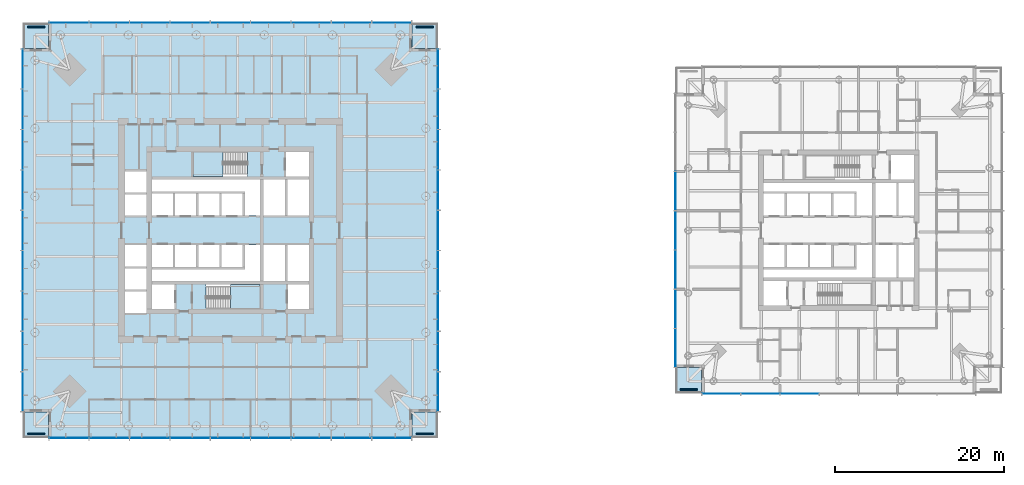
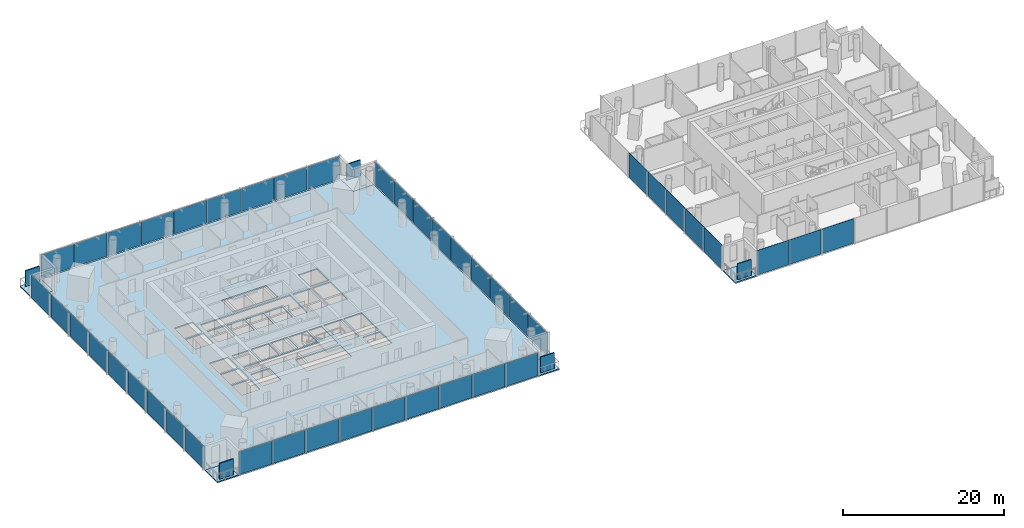
# One storey, part 8 of 21: 49 plates, 8 slabs, 8 elements without a shape of their own.
"""IFC4 building model written with IfcOpenShell, lengths in metres."""

from ifc_helpers import new_model, si_unit, direction, frame, origin, origin_2d, place, context, subcontext, project, spatial, polyline, rectangle, outline, extrude, material, layer, layer_set, type_object, element, aggregate, save


model = new_model("IFC4")

# Units and contexts
model_context = context("Model", 3, precision=1e-05, world=origin(), true_north=direction((0.0, 1.0)))
body_context = subcontext(model_context, "Body", "Model", "MODEL_VIEW")
ifc_project = project(units=[si_unit("LENGTHUNIT", "METRE"), si_unit("AREAUNIT", "SQUARE_METRE"), si_unit("VOLUMEUNIT", "CUBIC_METRE"), si_unit("PLANEANGLEUNIT", "RADIAN"), si_unit("MASSUNIT", "GRAM", prefix="KILO")], contexts=[model_context])

# Site, building, storey
site_placement = place(None, origin())
site = spatial("IfcSite", under=ifc_project, at=site_placement, CompositionType="ELEMENT")
building_placement = place(site_placement, origin())
building = spatial("IfcBuilding", under=site, at=building_placement, Name="Ostroluk Exchange", CompositionType="ELEMENT")
storey_placement = place(building_placement, frame((0.0, 0.0, 47.60009765625)))
storey = spatial("IfcBuildingStorey", under=building, at=storey_placement, Name="L11", CompositionType="ELEMENT", Elevation=47.60009765625)

# Curtain wall, plates
ifc_material_1 = material(Name="Laminated clear glass", Category="glass")
curtain_wall_type_1 = type_object("IfcCurtainWallType", Name="Hotel guest floor facade", PredefinedType="USERDEFINED", material=ifc_material_1)
curtain_wall_1_placement = place(storey_placement, origin())
curtain_wall_1 = element("IfcCurtainWall", 1, at=curtain_wall_1_placement, inside=storey, type_object=curtain_wall_type_1, Name="Hotel tower south facade L11", ObjectType="UNITISED CURTAIN WALL", PredefinedType="USERDEFINED")
ifc_material_2 = material(Name="Laminated clear glass", Category="glass")
ifc_layer_1 = layer(ifc_material_2, 0.0400390625)
ifc_layer_set_1 = layer_set([ifc_layer_1], Name="Acoustic laminated glazing 40")
plate_type_1 = type_object("IfcPlateType", Name="Acoustic laminated glazing 40", PredefinedType="CURTAIN_PANEL", material=ifc_layer_set_1)
plate_1_placement = place(storey_placement, frame((103.09130859375, 26.675048828125, 0.080078125), z_axis=(0.0, 0.0, 1.0), x_axis=(1.0, 0.0, 0.0)))
plate_1 = element("IfcPlate", 2, at=plate_1_placement, type_object=plate_type_1, Name="CW-H1 panel 1.1", PredefinedType="CURTAIN_PANEL", context=body_context, shape_type="SweptSolid", body=[
    extrude(rectangle(XDim=4.52294921875, YDim=0.0400390625, at=origin_2d()), origin(), (0.0, 0.0, 1.0), 3.719970703125),
])
plate_2_placement = place(storey_placement, frame((107.71435546875, 26.675048828125, 0.080078125), z_axis=(0.0, 0.0, 1.0), x_axis=(1.0, 0.0, 0.0)))
plate_2 = element("IfcPlate", 3, at=plate_2_placement, type_object=plate_type_1, Name="CW-H1 panel 2.1", PredefinedType="CURTAIN_PANEL", context=body_context, shape_type="SweptSolid", body=[
    extrude(rectangle(XDim=4.562744140625, YDim=0.0400390625, at=origin_2d()), origin(), (0.0, 0.0, 1.0), 3.719970703125),
])
plate_3_placement = place(storey_placement, frame((112.357177734375, 26.675048828125, 0.080078125), z_axis=(0.0, 0.0, 1.0), x_axis=(1.0, 0.0, 0.0)))
plate_3 = element("IfcPlate", 4, at=plate_3_placement, type_object=plate_type_1, Name="CW-H1 panel 3.1", PredefinedType="CURTAIN_PANEL", context=body_context, shape_type="SweptSolid", body=[
    extrude(rectangle(XDim=4.562744140625, YDim=0.0400390625, at=origin_2d()), origin(), (0.0, 0.0, 1.0), 3.719970703125),
])
aggregate(curtain_wall_1, [plate_1, plate_2, plate_3])

curtain_wall_2_placement = place(storey_placement, origin())
curtain_wall_2 = element("IfcCurtainWall", 5, at=curtain_wall_2_placement, inside=storey, type_object=curtain_wall_type_1, Name="Hotel tower west facade L11", ObjectType="UNITISED CURTAIN WALL", PredefinedType="USERDEFINED")
plate_4_placement = place(storey_placement, frame((97.675048828125, 50.642822265625, 0.080078125), z_axis=(0.0, 0.0, 1.0), x_axis=(0.0, -1.0, 0.0)))
plate_4 = element("IfcPlate", 6, at=plate_4_placement, type_object=plate_type_1, Name="CW-H1 panel 3.1", PredefinedType="CURTAIN_PANEL", context=body_context, shape_type="SweptSolid", body=[
    extrude(rectangle(XDim=4.562744140625, YDim=0.0400390625, at=origin_2d()), origin(), (0.0, 0.0, 1.0), 3.719970703125),
])
plate_5_placement = place(storey_placement, frame((97.675048828125, 46.0, 0.080078125), z_axis=(0.0, 0.0, 1.0), x_axis=(0.0, -1.0, 0.0)))
plate_5 = element("IfcPlate", 7, at=plate_5_placement, type_object=plate_type_1, Name="CW-H1 panel 4.1", PredefinedType="CURTAIN_PANEL", context=body_context, shape_type="SweptSolid", body=[
    extrude(rectangle(XDim=4.562744140625, YDim=0.0400390625, at=origin_2d()), origin(), (0.0, 0.0, 1.0), 3.719970703125),
])
plate_6_placement = place(storey_placement, frame((97.675048828125, 41.357177734375, 0.080078125), z_axis=(0.0, 0.0, 1.0), x_axis=(0.0, -1.0, 0.0)))
plate_6 = element("IfcPlate", 8, at=plate_6_placement, type_object=plate_type_1, Name="CW-H1 panel 5.1", PredefinedType="CURTAIN_PANEL", context=body_context, shape_type="SweptSolid", body=[
    extrude(rectangle(XDim=4.562744140625, YDim=0.0400390625, at=origin_2d()), origin(), (0.0, 0.0, 1.0), 3.719970703125),
])
plate_7_placement = place(storey_placement, frame((97.675048828125, 36.71435546875, 0.080078125), z_axis=(0.0, 0.0, 1.0), x_axis=(0.0, -1.0, 0.0)))
plate_7 = element("IfcPlate", 9, at=plate_7_placement, type_object=plate_type_1, Name="CW-H1 panel 6.1", PredefinedType="CURTAIN_PANEL", context=body_context, shape_type="SweptSolid", body=[
    extrude(rectangle(XDim=4.562744140625, YDim=0.0400390625, at=origin_2d()), origin(), (0.0, 0.0, 1.0), 3.719970703125),
])
plate_8_placement = place(storey_placement, frame((97.675048828125, 32.09130859375, 0.080078125), z_axis=(0.0, 0.0, 1.0), x_axis=(0.0, -1.0, 0.0)))
plate_8 = element("IfcPlate", 10, at=plate_8_placement, type_object=plate_type_1, Name="CW-H1 panel 7.1", PredefinedType="CURTAIN_PANEL", context=body_context, shape_type="SweptSolid", body=[
    extrude(rectangle(XDim=4.52294921875, YDim=0.0400390625, at=origin_2d()), origin(), (0.0, 0.0, 1.0), 3.719970703125),
])
aggregate(curtain_wall_2, [plate_4, plate_5, plate_6, plate_7, plate_8])

# Slabs
ifc_material_3 = material(Name="Concrete C35/45", Category="concrete")
ifc_layer_2 = layer(ifc_material_3, 0.179931640625)
ifc_layer_set_2 = layer_set([ifc_layer_2], Name="Balcony slab 180")
slab_type_1 = type_object("IfcSlabType", Name="Balcony slab 180", PredefinedType="USERDEFINED", material=ifc_layer_set_2)
slab_1_placement = place(storey_placement, frame((0.0, 0.0, -0.18017578125)))
element("IfcSlab", 11, at=slab_1_placement, inside=storey, type_object=slab_type_1, Name="Office tower SE corner balcony L11", ObjectType="BALCONY", PredefinedType="USERDEFINED", context=body_context, shape_type="SweptSolid", body=[
    extrude(outline(polyline([(66.5, 21.5), (69.5, 21.5), (69.5, 24.5), (66.5, 24.5), (66.5, 21.5)])), origin(), (0.0, 0.0, 1.0), 0.18017578125),
])
slab_2_placement = place(storey_placement, frame((0.0, 0.0, -0.18017578125)))
element("IfcSlab", 12, at=slab_2_placement, inside=storey, type_object=slab_type_1, Name="Office tower NE corner balcony L11", ObjectType="BALCONY", PredefinedType="USERDEFINED", context=body_context, shape_type="SweptSolid", body=[
    extrude(outline(polyline([(66.5, 67.5), (69.5, 67.5), (69.5, 70.5), (66.5, 70.5), (66.5, 67.5)])), origin(), (0.0, 0.0, 1.0), 0.18017578125),
])
slab_3_placement = place(storey_placement, frame((0.0, 0.0, -0.18017578125)))
element("IfcSlab", 13, at=slab_3_placement, inside=storey, type_object=slab_type_1, Name="Office tower NW corner balcony L11", ObjectType="BALCONY", PredefinedType="USERDEFINED", context=body_context, shape_type="SweptSolid", body=[
    extrude(outline(polyline([(20.5, 67.5), (23.5, 67.5), (23.5, 70.5), (20.5, 70.5), (20.5, 67.5)])), origin(), (0.0, 0.0, 1.0), 0.18017578125),
])
slab_4_placement = place(storey_placement, frame((0.0, 0.0, -0.18017578125)))
element("IfcSlab", 14, at=slab_4_placement, inside=storey, type_object=slab_type_1, Name="Office tower SW corner balcony L11", ObjectType="BALCONY", PredefinedType="USERDEFINED", context=body_context, shape_type="SweptSolid", body=[
    extrude(outline(polyline([(20.5, 21.5), (23.5, 21.5), (23.5, 24.5), (20.5, 24.5), (20.5, 21.5)])), origin(), (0.0, 0.0, 1.0), 0.18017578125),
])
ifc_material_4 = material(Name="Concrete C35/45", Category="concrete")
ifc_layer_3 = layer(ifc_material_4, 0.199951171875)
ifc_layer_set_3 = layer_set([ifc_layer_3], Name="Balcony slab 200")
slab_type_2 = type_object("IfcSlabType", Name="Balcony slab 200", PredefinedType="USERDEFINED", material=ifc_layer_set_3)
slab_5_placement = place(storey_placement, frame((0.0, 0.0, -0.2001953125)))
element("IfcSlab", 15, at=slab_5_placement, inside=storey, type_object=slab_type_2, Name="Hotel tower SW corner balcony L11", ObjectType="BALCONY", PredefinedType="USERDEFINED", context=body_context, shape_type="SweptSolid", body=[
    extrude(outline(polyline([(97.75, 26.75), (100.75, 26.75), (100.75, 29.75), (97.75, 29.75), (97.75, 26.75)])), origin(), (0.0, 0.0, 1.0), 0.2001953125),
])

# Plates
ifc_material_5 = material(Name="Steel S355 trellis with planting", Category="steel")
ifc_layer_4 = layer(ifc_material_5, 0.14990234375)
ifc_layer_set_4 = layer_set([ifc_layer_4], Name="Planted screen 150")
plate_type_2 = type_object("IfcPlateType", Name="Planted screen 150", PredefinedType="USERDEFINED", material=ifc_layer_set_4)
for number, where, z_axis, x_axis, name in (
    (16, (68.0, 21.925048828125, 0.0), (0.0, 0.0, 1.0), (1.0, 0.0, 0.0), "Office tower SE planted screen L11"),
    (17, (68.0, 70.074951171875, 0.0), (0.0, 0.0, 1.0), (1.0, 0.0, 0.0), "Office tower NE planted screen L11"),
    (18, (22.0, 70.074951171875, 0.0), (0.0, 0.0, 1.0), (1.0, 0.0, 0.0), "Office tower NW planted screen L11"),
    (19, (22.0, 21.925048828125, 0.0), (0.0, 0.0, 1.0), (1.0, 0.0, 0.0), "Office tower SW planted screen L11"),
    (20, (99.25, 27.175048828125, 0.0), (0.0, 0.0, 1.0), (1.0, 0.0, 0.0), "Hotel tower SW planted screen L11"),
):
    element("IfcPlate", number, at=place(storey_placement, frame(where, z_axis=z_axis, x_axis=x_axis)), inside=storey, type_object=plate_type_2, Name=name, ObjectType="PLANTED SCREEN", PredefinedType="USERDEFINED", context=body_context, shape_type="SweptSolid", body=[
        extrude(rectangle(XDim=2.0, YDim=0.14990234375, at=origin_2d()), origin(), (0.0, 0.0, 1.0), 2.39990234375),
    ])

# Stair, slab
ifc_material_6 = material(Name="Concrete C30/37", Category="concrete")
stair_type = type_object("IfcStairType", Name="Exit stair half turn 3800", PredefinedType="HALF_TURN_STAIR", material=ifc_material_6)
stair_1_placement = place(storey_placement, origin())
stair_1 = element("IfcStair", 21, at=stair_1_placement, inside=storey, type_object=stair_type, Name="Stair T1-S1 L11", PredefinedType="HALF_TURN_STAIR")
ifc_material_7 = material(Name="Concrete C30/37", Category="concrete")
ifc_layer_5 = layer(ifc_material_7, 0.199951171875)
ifc_layer_set_5 = layer_set([ifc_layer_5], Name="Stair landing 200")
slab_type_3 = type_object("IfcSlabType", Name="Stair landing 200", PredefinedType="LANDING", material=ifc_layer_set_5)
slab_6_placement = place(storey_placement, frame((0.0, 0.0, 1.699951171875)))
slab_6 = element("IfcSlab", 22, at=slab_6_placement, type_object=slab_type_3, Name="T1-S1 landing 1", PredefinedType="LANDING", context=body_context, shape_type="SweptSolid", body=[
    extrude(outline(polyline([(45.0, 36.699951171875), (45.0, 39.60009765625), (48.530029296875, 39.60009765625), (48.530029296875, 36.699951171875), (45.0, 36.699951171875)])), origin(), (0.0, 0.0, 1.0), 0.199951171875),
])
aggregate(stair_1, [slab_6])

stair_2_placement = place(storey_placement, origin())
stair_2 = element("IfcStair", 23, at=stair_2_placement, inside=storey, type_object=stair_type, Name="Stair T1-S2 L11", PredefinedType="HALF_TURN_STAIR")
slab_7_placement = place(storey_placement, frame((0.0, 0.0, 1.699951171875)))
slab_7 = element("IfcSlab", 24, at=slab_7_placement, type_object=slab_type_3, Name="T1-S2 landing 1", PredefinedType="LANDING", context=body_context, shape_type="SweptSolid", body=[
    extrude(outline(polyline([(44.1298828125, 52.39990234375), (44.1298828125, 55.300048828125), (40.60009765625, 55.300048828125), (40.60009765625, 52.39990234375), (44.1298828125, 52.39990234375)])), origin(), (0.0, 0.0, 1.0), 0.199951171875),
])
aggregate(stair_2, [slab_7])

# Slab
ifc_material_8 = material(Name="Concrete C35/45", Category="concrete")
ifc_layer_6 = layer(ifc_material_8, 0.179931640625)
ifc_layer_set_6 = layer_set([ifc_layer_6], Name="Tower floor slab 180 composite")
slab_type_4 = type_object("IfcSlabType", Name="Tower floor slab 180 composite", PredefinedType="FLOOR", material=ifc_layer_set_6)
slab_8_placement = place(storey_placement, frame((0.0, 0.0, -0.18017578125)))
element("IfcSlab", 25, at=slab_8_placement, inside=storey, type_object=slab_type_4, Name="Office tower floor slab L11", PredefinedType="FLOOR", context=body_context, shape_type="SweptSolid", body=[
    extrude(outline(polyline([(23.5, 21.5), (66.5, 21.5), (66.5, 24.5), (69.5, 24.5), (69.5, 67.5), (66.5, 67.5), (66.5, 70.5), (23.5, 70.5), (23.5, 67.5), (20.5, 67.5), (20.5, 24.5), (23.5, 24.5), (23.5, 21.5)]), holes=[polyline([(35.699951171875, 36.699951171875), (38.39990234375, 36.699951171875), (38.39990234375, 39.60009765625), (35.699951171875, 39.60009765625), (35.699951171875, 36.699951171875)]), polyline([(42.110107421875, 36.699951171875), (48.530029296875, 36.699951171875), (48.530029296875, 39.60009765625), (42.110107421875, 39.60009765625), (42.110107421875, 36.699951171875)]), polyline([(51.800048828125, 36.699951171875), (54.300048828125, 36.699951171875), (54.300048828125, 39.60009765625), (51.800048828125, 39.60009765625), (51.800048828125, 36.699951171875)]), polyline([(40.60009765625, 52.39990234375), (47.02001953125, 52.39990234375), (47.02001953125, 55.300048828125), (40.60009765625, 55.300048828125), (40.60009765625, 52.39990234375)]), polyline([(51.60009765625, 52.39990234375), (54.300048828125, 52.39990234375), (54.300048828125, 55.300048828125), (51.60009765625, 55.300048828125), (51.60009765625, 52.39990234375)]), polyline([(35.699951171875, 47.75), (38.199951171875, 47.75), (38.199951171875, 50.35009765625), (35.699951171875, 50.35009765625), (35.699951171875, 47.75)]), polyline([(38.449951171875, 47.75), (40.949951171875, 47.75), (40.949951171875, 50.35009765625), (38.449951171875, 50.35009765625), (38.449951171875, 47.75)]), polyline([(41.199951171875, 47.75), (43.699951171875, 47.75), (43.699951171875, 50.35009765625), (41.199951171875, 50.35009765625), (41.199951171875, 47.75)]), polyline([(43.949951171875, 47.75), (46.449951171875, 47.75), (46.449951171875, 50.35009765625), (43.949951171875, 50.35009765625), (43.949951171875, 47.75)]), polyline([(35.699951171875, 41.64990234375), (38.199951171875, 41.64990234375), (38.199951171875, 44.25), (35.699951171875, 44.25), (35.699951171875, 41.64990234375)]), polyline([(38.449951171875, 41.64990234375), (40.949951171875, 41.64990234375), (40.949951171875, 44.25), (38.449951171875, 44.25), (38.449951171875, 41.64990234375)]), polyline([(41.199951171875, 41.64990234375), (43.699951171875, 41.64990234375), (43.699951171875, 44.25), (41.199951171875, 44.25), (41.199951171875, 41.64990234375)]), polyline([(43.949951171875, 41.64990234375), (46.449951171875, 41.64990234375), (46.449951171875, 44.25), (43.949951171875, 44.25), (43.949951171875, 41.64990234375)]), polyline([(48.929931640625, 47.75), (51.489990234375, 47.75), (51.489990234375, 52.0), (48.929931640625, 52.0), (48.929931640625, 47.75)]), polyline([(51.739990234375, 47.75), (54.300048828125, 47.75), (54.300048828125, 52.0), (51.739990234375, 52.0), (51.739990234375, 47.75)]), polyline([(48.929931640625, 40.0), (51.489990234375, 40.0), (51.489990234375, 44.25), (48.929931640625, 44.25), (48.929931640625, 40.0)]), polyline([(51.739990234375, 40.0), (54.300048828125, 40.0), (54.300048828125, 44.25), (51.739990234375, 44.25), (51.739990234375, 40.0)]), polyline([(48.530029296875, 52.0), (48.530029296875, 47.75), (46.699951171875, 47.75), (46.699951171875, 50.60009765625), (35.699951171875, 50.60009765625), (35.699951171875, 52.0), (48.530029296875, 52.0)]), polyline([(35.699951171875, 40.0), (35.699951171875, 41.39990234375), (46.699951171875, 41.39990234375), (46.699951171875, 44.25), (48.530029296875, 44.25), (48.530029296875, 40.0), (35.699951171875, 40.0)]), polyline([(32.5, 36.25), (35.10009765625, 36.25), (35.10009765625, 38.75), (32.5, 38.75), (32.5, 36.25)]), polyline([(32.5, 39.0), (35.10009765625, 39.0), (35.10009765625, 41.5), (32.5, 41.5), (32.5, 39.0)]), polyline([(32.5, 41.75), (35.10009765625, 41.75), (35.10009765625, 44.25), (32.5, 44.25), (32.5, 41.75)]), polyline([(32.5, 47.75), (35.10009765625, 47.75), (35.10009765625, 50.25), (32.5, 50.25), (32.5, 47.75)]), polyline([(32.5, 50.5), (35.10009765625, 50.5), (35.10009765625, 53.0), (32.5, 53.0), (32.5, 50.5)])]), origin(), (0.0, 0.0, 1.0), 0.18017578125),
])

# Curtain wall, plates
ifc_material_9 = material(Name="Laminated clear glass", Category="glass")
curtain_wall_type_2 = type_object("IfcCurtainWallType", Name="Office tower facade", PredefinedType="USERDEFINED", material=ifc_material_9)
curtain_wall_3_placement = place(storey_placement, origin())
curtain_wall_3 = element("IfcCurtainWall", 26, at=curtain_wall_3_placement, inside=storey, type_object=curtain_wall_type_2, Name="Office tower south facade L11", ObjectType="UNITISED CURTAIN WALL", PredefinedType="USERDEFINED")
ifc_material_10 = material(Name="Laminated clear glass", Category="glass")
ifc_layer_7 = layer(ifc_material_10, 0.0439453125)
ifc_layer_set_7 = layer_set([ifc_layer_7], Name="Triple laminated clear glazing 44")
plate_type_3 = type_object("IfcPlateType", Name="Triple laminated clear glazing 44", PredefinedType="CURTAIN_PANEL", material=ifc_layer_set_7)
plate_9_placement = place(storey_placement, frame((25.908935546875, 21.425048828125, 0.080078125), z_axis=(0.0, 0.0, 1.0), x_axis=(1.0, 0.0, 0.0)))
plate_9 = element("IfcPlate", 27, at=plate_9_placement, type_object=plate_type_3, Name="CW-O1 panel 1.1", PredefinedType="CURTAIN_PANEL", context=body_context, shape_type="SweptSolid", body=[
    extrude(rectangle(XDim=4.65771484375, YDim=0.0439453125, at=origin_2d()), origin(), (0.0, 0.0, 1.0), 3.489990234375),
])
plate_10_placement = place(storey_placement, frame((30.666748046875, 21.425048828125, 0.080078125), z_axis=(0.0, 0.0, 1.0), x_axis=(1.0, 0.0, 0.0)))
plate_10 = element("IfcPlate", 28, at=plate_10_placement, type_object=plate_type_3, Name="CW-O1 panel 2.1", PredefinedType="CURTAIN_PANEL", context=body_context, shape_type="SweptSolid", body=[
    extrude(rectangle(XDim=4.69775390625, YDim=0.0439453125, at=origin_2d()), origin(), (0.0, 0.0, 1.0), 3.489990234375),
])
plate_11_placement = place(storey_placement, frame((35.4443359375, 21.425048828125, 0.080078125), z_axis=(0.0, 0.0, 1.0), x_axis=(1.0, 0.0, 0.0)))
plate_11 = element("IfcPlate", 29, at=plate_11_placement, type_object=plate_type_3, Name="CW-O1 panel 3.1", PredefinedType="CURTAIN_PANEL", context=body_context, shape_type="SweptSolid", body=[
    extrude(rectangle(XDim=4.69775390625, YDim=0.0439453125, at=origin_2d()), origin(), (0.0, 0.0, 1.0), 3.489990234375),
])
plate_12_placement = place(storey_placement, frame((40.22216796875, 21.425048828125, 0.080078125), z_axis=(0.0, 0.0, 1.0), x_axis=(1.0, 0.0, 0.0)))
plate_12 = element("IfcPlate", 30, at=plate_12_placement, type_object=plate_type_3, Name="CW-O1 panel 4.1", PredefinedType="CURTAIN_PANEL", context=body_context, shape_type="SweptSolid", body=[
    extrude(rectangle(XDim=4.69775390625, YDim=0.0439453125, at=origin_2d()), origin(), (0.0, 0.0, 1.0), 3.489990234375),
])
plate_13_placement = place(storey_placement, frame((45.0, 21.425048828125, 0.080078125), z_axis=(0.0, 0.0, 1.0), x_axis=(1.0, 0.0, 0.0)))
plate_13 = element("IfcPlate", 31, at=plate_13_placement, type_object=plate_type_3, Name="CW-O1 panel 5.1", PredefinedType="CURTAIN_PANEL", context=body_context, shape_type="SweptSolid", body=[
    extrude(rectangle(XDim=4.69775390625, YDim=0.0439453125, at=origin_2d()), origin(), (0.0, 0.0, 1.0), 3.489990234375),
])
plate_14_placement = place(storey_placement, frame((49.77783203125, 21.425048828125, 0.080078125), z_axis=(0.0, 0.0, 1.0), x_axis=(1.0, 0.0, 0.0)))
plate_14 = element("IfcPlate", 32, at=plate_14_placement, type_object=plate_type_3, Name="CW-O1 panel 6.1", PredefinedType="CURTAIN_PANEL", context=body_context, shape_type="SweptSolid", body=[
    extrude(rectangle(XDim=4.69775390625, YDim=0.0439453125, at=origin_2d()), origin(), (0.0, 0.0, 1.0), 3.489990234375),
])
plate_15_placement = place(storey_placement, frame((54.5556640625, 21.425048828125, 0.080078125), z_axis=(0.0, 0.0, 1.0), x_axis=(1.0, 0.0, 0.0)))
plate_15 = element("IfcPlate", 33, at=plate_15_placement, type_object=plate_type_3, Name="CW-O1 panel 7.1", PredefinedType="CURTAIN_PANEL", context=body_context, shape_type="SweptSolid", body=[
    extrude(rectangle(XDim=4.69775390625, YDim=0.0439453125, at=origin_2d()), origin(), (0.0, 0.0, 1.0), 3.489990234375),
])
plate_16_placement = place(storey_placement, frame((59.333251953125, 21.425048828125, 0.080078125), z_axis=(0.0, 0.0, 1.0), x_axis=(1.0, 0.0, 0.0)))
plate_16 = element("IfcPlate", 34, at=plate_16_placement, type_object=plate_type_3, Name="CW-O1 panel 8.1", PredefinedType="CURTAIN_PANEL", context=body_context, shape_type="SweptSolid", body=[
    extrude(rectangle(XDim=4.69775390625, YDim=0.0439453125, at=origin_2d()), origin(), (0.0, 0.0, 1.0), 3.489990234375),
])
plate_17_placement = place(storey_placement, frame((64.091064453125, 21.425048828125, 0.080078125), z_axis=(0.0, 0.0, 1.0), x_axis=(1.0, 0.0, 0.0)))
plate_17 = element("IfcPlate", 35, at=plate_17_placement, type_object=plate_type_3, Name="CW-O1 panel 9.1", PredefinedType="CURTAIN_PANEL", context=body_context, shape_type="SweptSolid", body=[
    extrude(rectangle(XDim=4.65771484375, YDim=0.0439453125, at=origin_2d()), origin(), (0.0, 0.0, 1.0), 3.489990234375),
])
aggregate(curtain_wall_3, [plate_9, plate_10, plate_11, plate_12, plate_13, plate_14, plate_15, plate_16, plate_17])

curtain_wall_4_placement = place(storey_placement, origin())
curtain_wall_4 = element("IfcCurtainWall", 36, at=curtain_wall_4_placement, inside=storey, type_object=curtain_wall_type_2, Name="Office tower east facade L11", ObjectType="UNITISED CURTAIN WALL", PredefinedType="USERDEFINED")
plate_18_placement = place(storey_placement, frame((69.574951171875, 26.908935546875, 0.080078125), z_axis=(0.0, 0.0, 1.0), x_axis=(0.0, 1.0, 0.0)))
plate_18 = element("IfcPlate", 37, at=plate_18_placement, type_object=plate_type_3, Name="CW-O1 panel 1.1", PredefinedType="CURTAIN_PANEL", context=body_context, shape_type="SweptSolid", body=[
    extrude(rectangle(XDim=4.65771484375, YDim=0.0439453125, at=origin_2d()), origin(), (0.0, 0.0, 1.0), 3.489990234375),
])
plate_19_placement = place(storey_placement, frame((69.574951171875, 31.666748046875, 0.080078125), z_axis=(0.0, 0.0, 1.0), x_axis=(0.0, 1.0, 0.0)))
plate_19 = element("IfcPlate", 38, at=plate_19_placement, type_object=plate_type_3, Name="CW-O1 panel 2.1", PredefinedType="CURTAIN_PANEL", context=body_context, shape_type="SweptSolid", body=[
    extrude(rectangle(XDim=4.69775390625, YDim=0.0439453125, at=origin_2d()), origin(), (0.0, 0.0, 1.0), 3.489990234375),
])
plate_20_placement = place(storey_placement, frame((69.574951171875, 36.4443359375, 0.080078125), z_axis=(0.0, 0.0, 1.0), x_axis=(0.0, 1.0, 0.0)))
plate_20 = element("IfcPlate", 39, at=plate_20_placement, type_object=plate_type_3, Name="CW-O1 panel 3.1", PredefinedType="CURTAIN_PANEL", context=body_context, shape_type="SweptSolid", body=[
    extrude(rectangle(XDim=4.69775390625, YDim=0.0439453125, at=origin_2d()), origin(), (0.0, 0.0, 1.0), 3.489990234375),
])
plate_21_placement = place(storey_placement, frame((69.574951171875, 41.22216796875, 0.080078125), z_axis=(0.0, 0.0, 1.0), x_axis=(0.0, 1.0, 0.0)))
plate_21 = element("IfcPlate", 40, at=plate_21_placement, type_object=plate_type_3, Name="CW-O1 panel 4.1", PredefinedType="CURTAIN_PANEL", context=body_context, shape_type="SweptSolid", body=[
    extrude(rectangle(XDim=4.69775390625, YDim=0.0439453125, at=origin_2d()), origin(), (0.0, 0.0, 1.0), 3.489990234375),
])
plate_22_placement = place(storey_placement, frame((69.574951171875, 46.0, 0.080078125), z_axis=(0.0, 0.0, 1.0), x_axis=(0.0, 1.0, 0.0)))
plate_22 = element("IfcPlate", 41, at=plate_22_placement, type_object=plate_type_3, Name="CW-O1 panel 5.1", PredefinedType="CURTAIN_PANEL", context=body_context, shape_type="SweptSolid", body=[
    extrude(rectangle(XDim=4.69775390625, YDim=0.0439453125, at=origin_2d()), origin(), (0.0, 0.0, 1.0), 3.489990234375),
])
plate_23_placement = place(storey_placement, frame((69.574951171875, 50.77783203125, 0.080078125), z_axis=(0.0, 0.0, 1.0), x_axis=(0.0, 1.0, 0.0)))
plate_23 = element("IfcPlate", 42, at=plate_23_placement, type_object=plate_type_3, Name="CW-O1 panel 6.1", PredefinedType="CURTAIN_PANEL", context=body_context, shape_type="SweptSolid", body=[
    extrude(rectangle(XDim=4.69775390625, YDim=0.0439453125, at=origin_2d()), origin(), (0.0, 0.0, 1.0), 3.489990234375),
])
plate_24_placement = place(storey_placement, frame((69.574951171875, 55.5556640625, 0.080078125), z_axis=(0.0, 0.0, 1.0), x_axis=(0.0, 1.0, 0.0)))
plate_24 = element("IfcPlate", 43, at=plate_24_placement, type_object=plate_type_3, Name="CW-O1 panel 7.1", PredefinedType="CURTAIN_PANEL", context=body_context, shape_type="SweptSolid", body=[
    extrude(rectangle(XDim=4.69775390625, YDim=0.0439453125, at=origin_2d()), origin(), (0.0, 0.0, 1.0), 3.489990234375),
])
plate_25_placement = place(storey_placement, frame((69.574951171875, 60.333251953125, 0.080078125), z_axis=(0.0, 0.0, 1.0), x_axis=(0.0, 1.0, 0.0)))
plate_25 = element("IfcPlate", 44, at=plate_25_placement, type_object=plate_type_3, Name="CW-O1 panel 8.1", PredefinedType="CURTAIN_PANEL", context=body_context, shape_type="SweptSolid", body=[
    extrude(rectangle(XDim=4.69775390625, YDim=0.0439453125, at=origin_2d()), origin(), (0.0, 0.0, 1.0), 3.489990234375),
])
plate_26_placement = place(storey_placement, frame((69.574951171875, 65.091064453125, 0.080078125), z_axis=(0.0, 0.0, 1.0), x_axis=(0.0, 1.0, 0.0)))
plate_26 = element("IfcPlate", 45, at=plate_26_placement, type_object=plate_type_3, Name="CW-O1 panel 9.1", PredefinedType="CURTAIN_PANEL", context=body_context, shape_type="SweptSolid", body=[
    extrude(rectangle(XDim=4.65771484375, YDim=0.0439453125, at=origin_2d()), origin(), (0.0, 0.0, 1.0), 3.489990234375),
])
aggregate(curtain_wall_4, [plate_18, plate_19, plate_20, plate_21, plate_22, plate_23, plate_24, plate_25, plate_26])

curtain_wall_5_placement = place(storey_placement, origin())
curtain_wall_5 = element("IfcCurtainWall", 46, at=curtain_wall_5_placement, inside=storey, type_object=curtain_wall_type_2, Name="Office tower north facade L11", ObjectType="UNITISED CURTAIN WALL", PredefinedType="USERDEFINED")
plate_27_placement = place(storey_placement, frame((64.091064453125, 70.574951171875, 0.080078125), z_axis=(0.0, 0.0, 1.0), x_axis=(-1.0, 0.0, 0.0)))
plate_27 = element("IfcPlate", 47, at=plate_27_placement, type_object=plate_type_3, Name="CW-O1 panel 1.1", PredefinedType="CURTAIN_PANEL", context=body_context, shape_type="SweptSolid", body=[
    extrude(rectangle(XDim=4.65771484375, YDim=0.0439453125, at=origin_2d()), origin(), (0.0, 0.0, 1.0), 3.489990234375),
])
plate_28_placement = place(storey_placement, frame((59.333251953125, 70.574951171875, 0.080078125), z_axis=(0.0, 0.0, 1.0), x_axis=(-1.0, 0.0, 0.0)))
plate_28 = element("IfcPlate", 48, at=plate_28_placement, type_object=plate_type_3, Name="CW-O1 panel 2.1", PredefinedType="CURTAIN_PANEL", context=body_context, shape_type="SweptSolid", body=[
    extrude(rectangle(XDim=4.69775390625, YDim=0.0439453125, at=origin_2d()), origin(), (0.0, 0.0, 1.0), 3.489990234375),
])
plate_29_placement = place(storey_placement, frame((54.5556640625, 70.574951171875, 0.080078125), z_axis=(0.0, 0.0, 1.0), x_axis=(-1.0, 0.0, 0.0)))
plate_29 = element("IfcPlate", 49, at=plate_29_placement, type_object=plate_type_3, Name="CW-O1 panel 3.1", PredefinedType="CURTAIN_PANEL", context=body_context, shape_type="SweptSolid", body=[
    extrude(rectangle(XDim=4.69775390625, YDim=0.0439453125, at=origin_2d()), origin(), (0.0, 0.0, 1.0), 3.489990234375),
])
plate_30_placement = place(storey_placement, frame((49.77783203125, 70.574951171875, 0.080078125), z_axis=(0.0, 0.0, 1.0), x_axis=(-1.0, 0.0, 0.0)))
plate_30 = element("IfcPlate", 50, at=plate_30_placement, type_object=plate_type_3, Name="CW-O1 panel 4.1", PredefinedType="CURTAIN_PANEL", context=body_context, shape_type="SweptSolid", body=[
    extrude(rectangle(XDim=4.69775390625, YDim=0.0439453125, at=origin_2d()), origin(), (0.0, 0.0, 1.0), 3.489990234375),
])
plate_31_placement = place(storey_placement, frame((45.0, 70.574951171875, 0.080078125), z_axis=(0.0, 0.0, 1.0), x_axis=(-1.0, 0.0, 0.0)))
plate_31 = element("IfcPlate", 51, at=plate_31_placement, type_object=plate_type_3, Name="CW-O1 panel 5.1", PredefinedType="CURTAIN_PANEL", context=body_context, shape_type="SweptSolid", body=[
    extrude(rectangle(XDim=4.69775390625, YDim=0.0439453125, at=origin_2d()), origin(), (0.0, 0.0, 1.0), 3.489990234375),
])
plate_32_placement = place(storey_placement, frame((40.22216796875, 70.574951171875, 0.080078125), z_axis=(0.0, 0.0, 1.0), x_axis=(-1.0, 0.0, 0.0)))
plate_32 = element("IfcPlate", 52, at=plate_32_placement, type_object=plate_type_3, Name="CW-O1 panel 6.1", PredefinedType="CURTAIN_PANEL", context=body_context, shape_type="SweptSolid", body=[
    extrude(rectangle(XDim=4.69775390625, YDim=0.0439453125, at=origin_2d()), origin(), (0.0, 0.0, 1.0), 3.489990234375),
])
plate_33_placement = place(storey_placement, frame((35.4443359375, 70.574951171875, 0.080078125), z_axis=(0.0, 0.0, 1.0), x_axis=(-1.0, 0.0, 0.0)))
plate_33 = element("IfcPlate", 53, at=plate_33_placement, type_object=plate_type_3, Name="CW-O1 panel 7.1", PredefinedType="CURTAIN_PANEL", context=body_context, shape_type="SweptSolid", body=[
    extrude(rectangle(XDim=4.69775390625, YDim=0.0439453125, at=origin_2d()), origin(), (0.0, 0.0, 1.0), 3.489990234375),
])
plate_34_placement = place(storey_placement, frame((30.666748046875, 70.574951171875, 0.080078125), z_axis=(0.0, 0.0, 1.0), x_axis=(-1.0, 0.0, 0.0)))
plate_34 = element("IfcPlate", 54, at=plate_34_placement, type_object=plate_type_3, Name="CW-O1 panel 8.1", PredefinedType="CURTAIN_PANEL", context=body_context, shape_type="SweptSolid", body=[
    extrude(rectangle(XDim=4.69775390625, YDim=0.0439453125, at=origin_2d()), origin(), (0.0, 0.0, 1.0), 3.489990234375),
])
plate_35_placement = place(storey_placement, frame((25.908935546875, 70.574951171875, 0.080078125), z_axis=(0.0, 0.0, 1.0), x_axis=(-1.0, 0.0, 0.0)))
plate_35 = element("IfcPlate", 55, at=plate_35_placement, type_object=plate_type_3, Name="CW-O1 panel 9.1", PredefinedType="CURTAIN_PANEL", context=body_context, shape_type="SweptSolid", body=[
    extrude(rectangle(XDim=4.65771484375, YDim=0.0439453125, at=origin_2d()), origin(), (0.0, 0.0, 1.0), 3.489990234375),
])
aggregate(curtain_wall_5, [plate_27, plate_28, plate_29, plate_30, plate_31, plate_32, plate_33, plate_34, plate_35])

curtain_wall_6_placement = place(storey_placement, origin())
curtain_wall_6 = element("IfcCurtainWall", 56, at=curtain_wall_6_placement, inside=storey, type_object=curtain_wall_type_2, Name="Office tower west facade L11", ObjectType="UNITISED CURTAIN WALL", PredefinedType="USERDEFINED")
plate_36_placement = place(storey_placement, frame((20.425048828125, 65.091064453125, 0.080078125), z_axis=(0.0, 0.0, 1.0), x_axis=(0.0, -1.0, 0.0)))
plate_36 = element("IfcPlate", 57, at=plate_36_placement, type_object=plate_type_3, Name="CW-O1 panel 1.1", PredefinedType="CURTAIN_PANEL", context=body_context, shape_type="SweptSolid", body=[
    extrude(rectangle(XDim=4.65771484375, YDim=0.0439453125, at=origin_2d()), origin(), (0.0, 0.0, 1.0), 3.489990234375),
])
plate_37_placement = place(storey_placement, frame((20.425048828125, 60.333251953125, 0.080078125), z_axis=(0.0, 0.0, 1.0), x_axis=(0.0, -1.0, 0.0)))
plate_37 = element("IfcPlate", 58, at=plate_37_placement, type_object=plate_type_3, Name="CW-O1 panel 2.1", PredefinedType="CURTAIN_PANEL", context=body_context, shape_type="SweptSolid", body=[
    extrude(rectangle(XDim=4.69775390625, YDim=0.0439453125, at=origin_2d()), origin(), (0.0, 0.0, 1.0), 3.489990234375),
])
plate_38_placement = place(storey_placement, frame((20.425048828125, 55.5556640625, 0.080078125), z_axis=(0.0, 0.0, 1.0), x_axis=(0.0, -1.0, 0.0)))
plate_38 = element("IfcPlate", 59, at=plate_38_placement, type_object=plate_type_3, Name="CW-O1 panel 3.1", PredefinedType="CURTAIN_PANEL", context=body_context, shape_type="SweptSolid", body=[
    extrude(rectangle(XDim=4.69775390625, YDim=0.0439453125, at=origin_2d()), origin(), (0.0, 0.0, 1.0), 3.489990234375),
])
plate_39_placement = place(storey_placement, frame((20.425048828125, 50.77783203125, 0.080078125), z_axis=(0.0, 0.0, 1.0), x_axis=(0.0, -1.0, 0.0)))
plate_39 = element("IfcPlate", 60, at=plate_39_placement, type_object=plate_type_3, Name="CW-O1 panel 4.1", PredefinedType="CURTAIN_PANEL", context=body_context, shape_type="SweptSolid", body=[
    extrude(rectangle(XDim=4.69775390625, YDim=0.0439453125, at=origin_2d()), origin(), (0.0, 0.0, 1.0), 3.489990234375),
])
plate_40_placement = place(storey_placement, frame((20.425048828125, 46.0, 0.080078125), z_axis=(0.0, 0.0, 1.0), x_axis=(0.0, -1.0, 0.0)))
plate_40 = element("IfcPlate", 61, at=plate_40_placement, type_object=plate_type_3, Name="CW-O1 panel 5.1", PredefinedType="CURTAIN_PANEL", context=body_context, shape_type="SweptSolid", body=[
    extrude(rectangle(XDim=4.69775390625, YDim=0.0439453125, at=origin_2d()), origin(), (0.0, 0.0, 1.0), 3.489990234375),
])
plate_41_placement = place(storey_placement, frame((20.425048828125, 41.22216796875, 0.080078125), z_axis=(0.0, 0.0, 1.0), x_axis=(0.0, -1.0, 0.0)))
plate_41 = element("IfcPlate", 62, at=plate_41_placement, type_object=plate_type_3, Name="CW-O1 panel 6.1", PredefinedType="CURTAIN_PANEL", context=body_context, shape_type="SweptSolid", body=[
    extrude(rectangle(XDim=4.69775390625, YDim=0.0439453125, at=origin_2d()), origin(), (0.0, 0.0, 1.0), 3.489990234375),
])
plate_42_placement = place(storey_placement, frame((20.425048828125, 36.4443359375, 0.080078125), z_axis=(0.0, 0.0, 1.0), x_axis=(0.0, -1.0, 0.0)))
plate_42 = element("IfcPlate", 63, at=plate_42_placement, type_object=plate_type_3, Name="CW-O1 panel 7.1", PredefinedType="CURTAIN_PANEL", context=body_context, shape_type="SweptSolid", body=[
    extrude(rectangle(XDim=4.69775390625, YDim=0.0439453125, at=origin_2d()), origin(), (0.0, 0.0, 1.0), 3.489990234375),
])
plate_43_placement = place(storey_placement, frame((20.425048828125, 31.666748046875, 0.080078125), z_axis=(0.0, 0.0, 1.0), x_axis=(0.0, -1.0, 0.0)))
plate_43 = element("IfcPlate", 64, at=plate_43_placement, type_object=plate_type_3, Name="CW-O1 panel 8.1", PredefinedType="CURTAIN_PANEL", context=body_context, shape_type="SweptSolid", body=[
    extrude(rectangle(XDim=4.69775390625, YDim=0.0439453125, at=origin_2d()), origin(), (0.0, 0.0, 1.0), 3.489990234375),
])
plate_44_placement = place(storey_placement, frame((20.425048828125, 26.908935546875, 0.080078125), z_axis=(0.0, 0.0, 1.0), x_axis=(0.0, -1.0, 0.0)))
plate_44 = element("IfcPlate", 65, at=plate_44_placement, type_object=plate_type_3, Name="CW-O1 panel 9.1", PredefinedType="CURTAIN_PANEL", context=body_context, shape_type="SweptSolid", body=[
    extrude(rectangle(XDim=4.65771484375, YDim=0.0439453125, at=origin_2d()), origin(), (0.0, 0.0, 1.0), 3.489990234375),
])
aggregate(curtain_wall_6, [plate_36, plate_37, plate_38, plate_39, plate_40, plate_41, plate_42, plate_43, plate_44])

save(model, "model.ifc")
